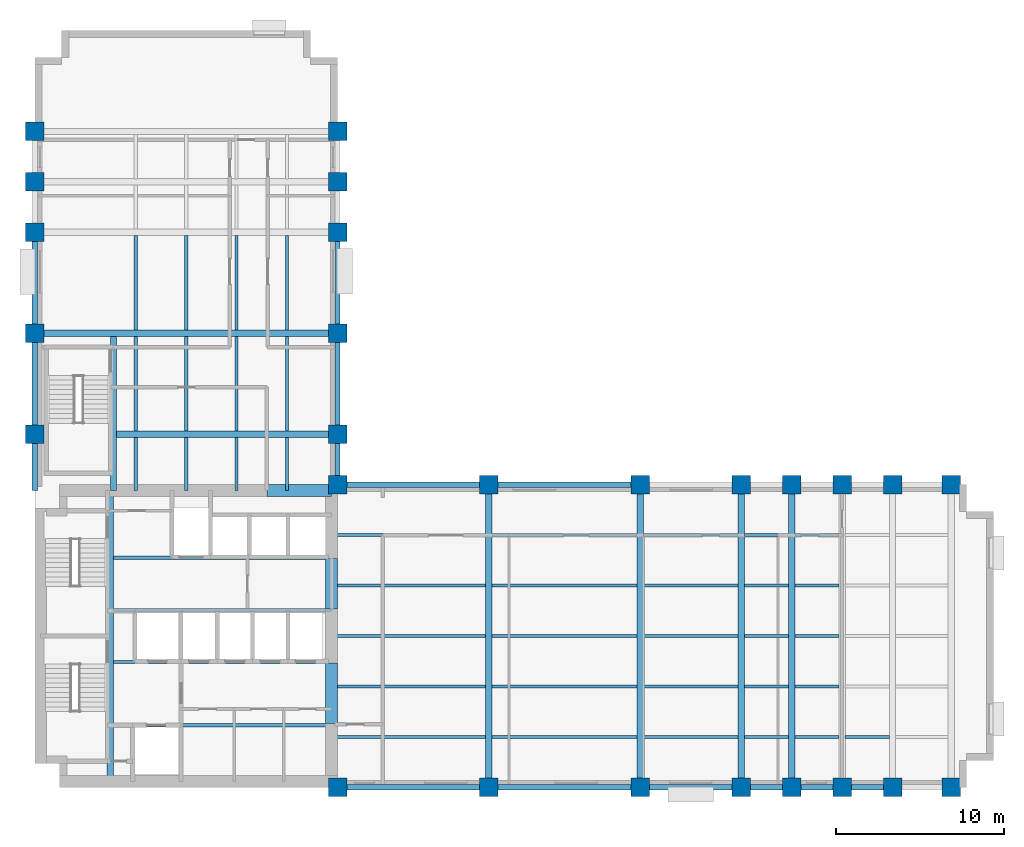
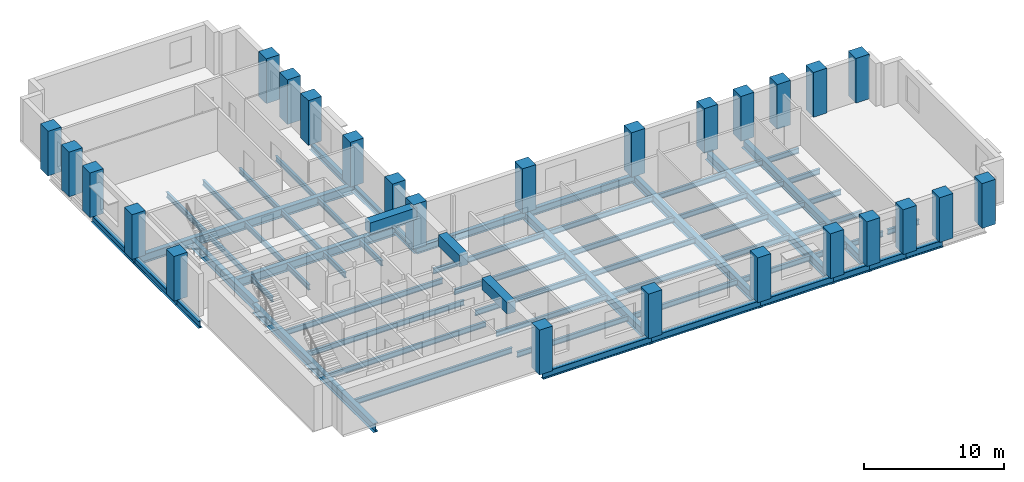
# One storey, part 1 of 8: 67 beams, 26 columns.
"""IFC4 building model written with IfcOpenShell, lengths in metres."""

from ifc_helpers import new_model, si_unit, direction, frame, origin, origin_2d, place, context, subcontext, project, spatial, rectangle, i_section, extrude, material, material_profile, profile_set, type_object, element, save


model = new_model("IFC4")

# Units and contexts
model_context = context("Model", 3, precision=1e-05, world=origin(), true_north=direction((0.0, 1.0)))
body_context = subcontext(model_context, "Body", "Model", "MODEL_VIEW")
ifc_project = project(units=[si_unit("LENGTHUNIT", "METRE"), si_unit("AREAUNIT", "SQUARE_METRE"), si_unit("VOLUMEUNIT", "CUBIC_METRE"), si_unit("PLANEANGLEUNIT", "RADIAN"), si_unit("MASSUNIT", "GRAM", prefix="KILO")], contexts=[model_context])

# Site, building, storey
site_placement = place(None, origin())
site = spatial("IfcSite", under=ifc_project, at=site_placement, CompositionType="ELEMENT")
building_placement = place(site_placement, origin())
building = spatial("IfcBuilding", under=site, at=building_placement, Name="Mawjdan Bourse Tower", CompositionType="ELEMENT")
storey_placement = place(building_placement, frame((0.0, 0.0, 97.199951171875)))
storey = spatial("IfcBuildingStorey", under=building, at=storey_placement, Name="L22", CompositionType="ELEMENT", Elevation=97.199951171875)

# Columns
ifc_material_1 = material(Name="Concrete C70/85", Category="concrete")
ifc_material_profile_1 = material_profile(ifc_material_1, rectangle(XDim=1.10009765625, YDim=1.10009765625, at=origin_2d()), Name="RC1100X1100")
ifc_profile_set_1 = profile_set([ifc_material_profile_1], Name="Concrete C70/85")
column_type = type_object("IfcColumnType", Name="COL-RC1100X1100", PredefinedType="COLUMN", material=ifc_profile_set_1)
for number, where, z_axis, x_axis, name in (
    (1, (24.0, 3.0, 0.0), (0.0, 0.0, 1.0), (1.0, 0.0, 0.0), "L22 Structural Column C-X240-Y30"),
    (2, (24.0, 21.0, 0.0), (0.0, 0.0, 1.0), (1.0, 0.0, 0.0), "L22 Structural Column C-X240-Y210"),
    (3, (33.0, 3.0, 0.0), (0.0, 0.0, 1.0), (1.0, 0.0, 0.0), "L22 Structural Column C-X330-Y30"),
    (4, (33.0, 21.0, 0.0), (0.0, 0.0, 1.0), (1.0, 0.0, 0.0), "L22 Structural Column C-X330-Y210"),
    (5, (42.0, 3.0, 0.0), (0.0, 0.0, 1.0), (1.0, 0.0, 0.0), "L22 Structural Column C-X420-Y30"),
    (6, (42.0, 21.0, 0.0), (0.0, 0.0, 1.0), (1.0, 0.0, 0.0), "L22 Structural Column C-X420-Y210"),
    (7, (48.0, 3.0, 0.0), (0.0, 0.0, 1.0), (1.0, 0.0, 0.0), "L22 Structural Column C-X480-Y30"),
    (8, (48.0, 21.0, 0.0), (0.0, 0.0, 1.0), (1.0, 0.0, 0.0), "L22 Structural Column C-X480-Y210"),
    (9, (51.0, 3.0, 0.0), (0.0, 0.0, 1.0), (1.0, 0.0, 0.0), "L22 Structural Column C-X510-Y30"),
    (10, (51.0, 21.0, 0.0), (0.0, 0.0, 1.0), (1.0, 0.0, 0.0), "L22 Structural Column C-X510-Y210"),
    (11, (54.0, 3.0, 0.0), (0.0, 0.0, 1.0), (1.0, 0.0, 0.0), "L22 Structural Column C-X540-Y30"),
    (12, (54.0, 21.0, 0.0), (0.0, 0.0, 1.0), (1.0, 0.0, 0.0), "L22 Structural Column C-X540-Y210"),
    (13, (57.0, 3.0, 0.0), (0.0, 0.0, 1.0), (1.0, 0.0, 0.0), "L22 Structural Column C-X570-Y30"),
    (14, (57.0, 21.0, 0.0), (0.0, 0.0, 1.0), (1.0, 0.0, 0.0), "L22 Structural Column C-X570-Y210"),
    (15, (60.5, 3.0, 0.0), (0.0, 0.0, 1.0), (1.0, 0.0, 0.0), "L22 Structural Column C-X605-Y30"),
    (16, (60.5, 21.0, 0.0), (0.0, 0.0, 1.0), (1.0, 0.0, 0.0), "L22 Structural Column C-X605-Y210"),
    (17, (6.0, 24.0, 0.0), (0.0, 0.0, 1.0), (1.0, 0.0, 0.0), "L22 Structural Column C-X60-Y240"),
    (18, (24.0, 24.0, 0.0), (0.0, 0.0, 1.0), (1.0, 0.0, 0.0), "L22 Structural Column C-X240-Y240"),
    (19, (6.0, 30.0, 0.0), (0.0, 0.0, 1.0), (1.0, 0.0, 0.0), "L22 Structural Column C-X60-Y300"),
    (20, (24.0, 30.0, 0.0), (0.0, 0.0, 1.0), (1.0, 0.0, 0.0), "L22 Structural Column C-X240-Y300"),
    (21, (6.0, 36.0, 0.0), (0.0, 0.0, 1.0), (1.0, 0.0, 0.0), "L22 Structural Column C-X60-Y360"),
    (22, (24.0, 36.0, 0.0), (0.0, 0.0, 1.0), (1.0, 0.0, 0.0), "L22 Structural Column C-X240-Y360"),
    (23, (6.0, 39.0, 0.0), (0.0, 0.0, 1.0), (1.0, 0.0, 0.0), "L22 Structural Column C-X60-Y390"),
    (24, (24.0, 39.0, 0.0), (0.0, 0.0, 1.0), (1.0, 0.0, 0.0), "L22 Structural Column C-X240-Y390"),
    (25, (6.0, 42.0, 0.0), (0.0, 0.0, 1.0), (1.0, 0.0, 0.0), "L22 Structural Column C-X60-Y420"),
    (26, (24.0, 42.0, 0.0), (0.0, 0.0, 1.0), (1.0, 0.0, 0.0), "L22 Structural Column C-X240-Y420"),
):
    element("IfcColumn", number, at=place(storey_placement, frame(where, z_axis=z_axis, x_axis=x_axis)), inside=storey, type_object=column_type, Name=name, PredefinedType="COLUMN", context=body_context, shape_type="SweptSolid", body=[
        extrude(rectangle(XDim=1.10009765625, YDim=1.10009765625, at=origin_2d()), origin(), (0.0, 0.0, 1.0), 3.900146484375),
    ])

# Beams
ifc_material_2 = material(Name="Structural Steel S355", Category="steel")
ifc_material_profile_2 = material_profile(ifc_material_2, i_section(OverallWidth=0.381103515625, OverallDepth=0.77294921875, WebThickness=0.0166015625, FlangeThickness=0.027099609375, FilletRadius=0.021728515625, at=origin_2d()), Name="W30X173")
ifc_profile_set_2 = profile_set([ifc_material_profile_2], Name="Structural Steel S355")
beam_type_1 = type_object("IfcBeamType", Name="GRD-W30X173", PredefinedType="BEAM", material=ifc_profile_set_2)
beam_1_placement = place(storey_placement, frame((10.47998046875, 3.35009765625, -0.58642578125), z_axis=(0.0, 1.0, 0.0), x_axis=(-1.0, 0.0, 0.0)))
element("IfcBeam", 27, at=beam_1_placement, inside=storey, type_object=beam_type_1, Name="L22 Core Stair Trimmer Girder 001", PredefinedType="BEAM", context=body_context, shape_type="SweptSolid", body=[
    extrude(i_section(OverallWidth=0.381103515625, OverallDepth=0.77294921875, WebThickness=0.0166015625, FlangeThickness=0.027099609375, FilletRadius=0.021728515625, at=origin_2d()), origin(), (0.0, 0.0, 1.0), 17.2998046875),
])
for number, where, z_axis, x_axis, name in (
    (28, (33.0, 3.0, -0.58642578125), (0.0, 1.0, 0.0), (-1.0, 0.0, 0.0), "L22 East Wing Clear-Span Girder 002"),
    (29, (42.0, 3.0, -0.58642578125), (0.0, 1.0, 0.0), (-1.0, 0.0, 0.0), "L22 East Wing Clear-Span Girder 003"),
    (30, (48.0, 3.0, -0.58642578125), (0.0, 1.0, 0.0), (-1.0, 0.0, 0.0), "L22 East Wing Clear-Span Girder 004"),
    (31, (51.0, 3.0, -0.58642578125), (0.0, 1.0, 0.0), (-1.0, 0.0, 0.0), "L22 East Wing Clear-Span Girder 005"),
):
    element("IfcBeam", number, at=place(storey_placement, frame(where, z_axis=z_axis, x_axis=x_axis)), inside=storey, type_object=beam_type_1, Name=name, PredefinedType="BEAM", context=body_context, shape_type="SweptSolid", body=[
        extrude(i_section(OverallWidth=0.381103515625, OverallDepth=0.77294921875, WebThickness=0.0166015625, FlangeThickness=0.027099609375, FilletRadius=0.021728515625, at=origin_2d()), origin(), (0.0, 0.0, 1.0), 18.0),
    ])
beam_2_placement = place(storey_placement, frame((10.679931640625, 20.64990234375, -0.58642578125), z_axis=(0.0, 1.0, 0.0), x_axis=(-1.0, 0.0, 0.0)))
element("IfcBeam", 32, at=beam_2_placement, inside=storey, type_object=beam_type_1, Name="L22 North Wing Stair Trimmer Girder 062", PredefinedType="BEAM", context=body_context, shape_type="SweptSolid", body=[
    extrude(i_section(OverallWidth=0.381103515625, OverallDepth=0.77294921875, WebThickness=0.0166015625, FlangeThickness=0.027099609375, FilletRadius=0.021728515625, at=origin_2d()), origin(), (0.0, 0.0, 1.0), 9.16162109375),
])
beam_3_placement = place(storey_placement, frame((10.868408203125, 24.0, -0.58642578125), z_axis=(1.0, 0.0, 0.0), x_axis=(0.0, 1.0, 0.0)))
element("IfcBeam", 33, at=beam_3_placement, inside=storey, type_object=beam_type_1, Name="L22 North Wing Clear-Span Girder 063", PredefinedType="BEAM", context=body_context, shape_type="SweptSolid", body=[
    extrude(i_section(OverallWidth=0.381103515625, OverallDepth=0.77294921875, WebThickness=0.0166015625, FlangeThickness=0.027099609375, FilletRadius=0.021728515625, at=origin_2d()), origin(), (0.0, 0.0, 1.0), 13.131591796875),
])
beam_4_placement = place(storey_placement, frame((6.0, 30.0, -0.58642578125), z_axis=(1.0, 0.0, 0.0), x_axis=(0.0, 1.0, 0.0)))
element("IfcBeam", 34, at=beam_4_placement, inside=storey, type_object=beam_type_1, Name="L22 North Wing Clear-Span Girder 064", PredefinedType="BEAM", context=body_context, shape_type="SweptSolid", body=[
    extrude(i_section(OverallWidth=0.381103515625, OverallDepth=0.77294921875, WebThickness=0.0166015625, FlangeThickness=0.027099609375, FilletRadius=0.021728515625, at=origin_2d()), origin(), (0.0, 0.0, 1.0), 18.0),
])
ifc_material_profile_3 = material_profile(ifc_material_2, i_section(OverallWidth=0.19189453125, OverallDepth=0.462890625, WebThickness=0.010498046875, FlangeThickness=0.017578125, FilletRadius=0.01416015625, at=origin_2d()), Name="W18X60")
ifc_profile_set_3 = profile_set([ifc_material_profile_3], Name="Structural Steel S355")
beam_type_2 = type_object("IfcBeamType", Name="JST-W18X60", PredefinedType="JOIST", material=ifc_profile_set_3)
beam_5_placement = place(storey_placement, frame((23.64990234375, 6.0, -0.431396484375), z_axis=(1.0, 0.0, 0.0), x_axis=(0.0, 1.0, 0.0)))
element("IfcBeam", 35, at=beam_5_placement, inside=storey, type_object=beam_type_2, Name="L22 East Wing Composite Joist 023", PredefinedType="JOIST", context=body_context, shape_type="SweptSolid", body=[
    extrude(i_section(OverallWidth=0.19189453125, OverallDepth=0.462890625, WebThickness=0.010498046875, FlangeThickness=0.017578125, FilletRadius=0.01416015625, at=origin_2d()), origin(), (0.0, 0.0, 1.0), 9.16162109375),
])
beam_6_placement = place(storey_placement, frame((33.1884765625, 6.0, -0.431396484375), z_axis=(1.0, 0.0, 0.0), x_axis=(0.0, 1.0, 0.0)))
element("IfcBeam", 36, at=beam_6_placement, inside=storey, type_object=beam_type_2, Name="L22 East Wing Composite Joist 024", PredefinedType="JOIST", context=body_context, shape_type="SweptSolid", body=[
    extrude(i_section(OverallWidth=0.19189453125, OverallDepth=0.462890625, WebThickness=0.010498046875, FlangeThickness=0.017578125, FilletRadius=0.01416015625, at=origin_2d()), origin(), (0.0, 0.0, 1.0), 8.623046875),
])
beam_7_placement = place(storey_placement, frame((42.1884765625, 6.0, -0.431396484375), z_axis=(1.0, 0.0, 0.0), x_axis=(0.0, 1.0, 0.0)))
element("IfcBeam", 37, at=beam_7_placement, inside=storey, type_object=beam_type_2, Name="L22 East Wing Composite Joist 025", PredefinedType="JOIST", context=body_context, shape_type="SweptSolid", body=[
    extrude(i_section(OverallWidth=0.19189453125, OverallDepth=0.462890625, WebThickness=0.010498046875, FlangeThickness=0.017578125, FilletRadius=0.01416015625, at=origin_2d()), origin(), (0.0, 0.0, 1.0), 5.623046875),
])
for number, where, z_axis, x_axis, name in (
    (38, (48.1884765625, 6.0, -0.431396484375), (1.0, 0.0, 0.0), (0.0, 1.0, 0.0), "L22 East Wing Composite Joist 026"),
    (39, (51.1884765625, 6.0, -0.431396484375), (1.0, 0.0, 0.0), (0.0, 1.0, 0.0), "L22 East Wing Composite Joist 027"),
    (40, (54.1884765625, 6.0, -0.431396484375), (1.0, 0.0, 0.0), (0.0, 1.0, 0.0), "L22 East Wing Composite Joist 028"),
):
    element("IfcBeam", number, at=place(storey_placement, frame(where, z_axis=z_axis, x_axis=x_axis)), inside=storey, type_object=beam_type_2, Name=name, PredefinedType="JOIST", context=body_context, shape_type="SweptSolid", body=[
        extrude(i_section(OverallWidth=0.19189453125, OverallDepth=0.462890625, WebThickness=0.010498046875, FlangeThickness=0.017578125, FilletRadius=0.01416015625, at=origin_2d()), origin(), (0.0, 0.0, 1.0), 2.623046875),
    ])
beam_8_placement = place(storey_placement, frame((23.64990234375, 9.0, -0.431396484375), z_axis=(1.0, 0.0, 0.0), x_axis=(0.0, 1.0, 0.0)))
element("IfcBeam", 41, at=beam_8_placement, inside=storey, type_object=beam_type_2, Name="L22 East Wing Composite Joist 030", PredefinedType="JOIST", context=body_context, shape_type="SweptSolid", body=[
    extrude(i_section(OverallWidth=0.19189453125, OverallDepth=0.462890625, WebThickness=0.010498046875, FlangeThickness=0.017578125, FilletRadius=0.01416015625, at=origin_2d()), origin(), (0.0, 0.0, 1.0), 9.16162109375),
])
beam_9_placement = place(storey_placement, frame((33.1884765625, 9.0, -0.431396484375), z_axis=(1.0, 0.0, 0.0), x_axis=(0.0, 1.0, 0.0)))
element("IfcBeam", 42, at=beam_9_placement, inside=storey, type_object=beam_type_2, Name="L22 East Wing Composite Joist 031", PredefinedType="JOIST", context=body_context, shape_type="SweptSolid", body=[
    extrude(i_section(OverallWidth=0.19189453125, OverallDepth=0.462890625, WebThickness=0.010498046875, FlangeThickness=0.017578125, FilletRadius=0.01416015625, at=origin_2d()), origin(), (0.0, 0.0, 1.0), 8.623046875),
])
beam_10_placement = place(storey_placement, frame((42.1884765625, 9.0, -0.431396484375), z_axis=(1.0, 0.0, 0.0), x_axis=(0.0, 1.0, 0.0)))
element("IfcBeam", 43, at=beam_10_placement, inside=storey, type_object=beam_type_2, Name="L22 East Wing Composite Joist 032", PredefinedType="JOIST", context=body_context, shape_type="SweptSolid", body=[
    extrude(i_section(OverallWidth=0.19189453125, OverallDepth=0.462890625, WebThickness=0.010498046875, FlangeThickness=0.017578125, FilletRadius=0.01416015625, at=origin_2d()), origin(), (0.0, 0.0, 1.0), 5.623046875),
])
for number, where, z_axis, x_axis, name in (
    (44, (48.1884765625, 9.0, -0.431396484375), (1.0, 0.0, 0.0), (0.0, 1.0, 0.0), "L22 East Wing Composite Joist 033"),
    (45, (51.1884765625, 9.0, -0.431396484375), (1.0, 0.0, 0.0), (0.0, 1.0, 0.0), "L22 East Wing Composite Joist 034"),
):
    element("IfcBeam", number, at=place(storey_placement, frame(where, z_axis=z_axis, x_axis=x_axis)), inside=storey, type_object=beam_type_2, Name=name, PredefinedType="JOIST", context=body_context, shape_type="SweptSolid", body=[
        extrude(i_section(OverallWidth=0.19189453125, OverallDepth=0.462890625, WebThickness=0.010498046875, FlangeThickness=0.017578125, FilletRadius=0.01416015625, at=origin_2d()), origin(), (0.0, 0.0, 1.0), 2.623046875),
    ])
beam_11_placement = place(storey_placement, frame((23.64990234375, 12.0, -0.431396484375), z_axis=(1.0, 0.0, 0.0), x_axis=(0.0, 1.0, 0.0)))
element("IfcBeam", 46, at=beam_11_placement, inside=storey, type_object=beam_type_2, Name="L22 East Wing Composite Joist 037", PredefinedType="JOIST", context=body_context, shape_type="SweptSolid", body=[
    extrude(i_section(OverallWidth=0.19189453125, OverallDepth=0.462890625, WebThickness=0.010498046875, FlangeThickness=0.017578125, FilletRadius=0.01416015625, at=origin_2d()), origin(), (0.0, 0.0, 1.0), 9.16162109375),
])
beam_12_placement = place(storey_placement, frame((33.1884765625, 12.0, -0.431396484375), z_axis=(1.0, 0.0, 0.0), x_axis=(0.0, 1.0, 0.0)))
element("IfcBeam", 47, at=beam_12_placement, inside=storey, type_object=beam_type_2, Name="L22 East Wing Composite Joist 038", PredefinedType="JOIST", context=body_context, shape_type="SweptSolid", body=[
    extrude(i_section(OverallWidth=0.19189453125, OverallDepth=0.462890625, WebThickness=0.010498046875, FlangeThickness=0.017578125, FilletRadius=0.01416015625, at=origin_2d()), origin(), (0.0, 0.0, 1.0), 8.623046875),
])
beam_13_placement = place(storey_placement, frame((42.1884765625, 12.0, -0.431396484375), z_axis=(1.0, 0.0, 0.0), x_axis=(0.0, 1.0, 0.0)))
element("IfcBeam", 48, at=beam_13_placement, inside=storey, type_object=beam_type_2, Name="L22 East Wing Composite Joist 039", PredefinedType="JOIST", context=body_context, shape_type="SweptSolid", body=[
    extrude(i_section(OverallWidth=0.19189453125, OverallDepth=0.462890625, WebThickness=0.010498046875, FlangeThickness=0.017578125, FilletRadius=0.01416015625, at=origin_2d()), origin(), (0.0, 0.0, 1.0), 5.623046875),
])
for number, where, z_axis, x_axis, name in (
    (49, (48.1884765625, 12.0, -0.431396484375), (1.0, 0.0, 0.0), (0.0, 1.0, 0.0), "L22 East Wing Composite Joist 040"),
    (50, (51.1884765625, 12.0, -0.431396484375), (1.0, 0.0, 0.0), (0.0, 1.0, 0.0), "L22 East Wing Composite Joist 041"),
):
    element("IfcBeam", number, at=place(storey_placement, frame(where, z_axis=z_axis, x_axis=x_axis)), inside=storey, type_object=beam_type_2, Name=name, PredefinedType="JOIST", context=body_context, shape_type="SweptSolid", body=[
        extrude(i_section(OverallWidth=0.19189453125, OverallDepth=0.462890625, WebThickness=0.010498046875, FlangeThickness=0.017578125, FilletRadius=0.01416015625, at=origin_2d()), origin(), (0.0, 0.0, 1.0), 2.623046875),
    ])
beam_14_placement = place(storey_placement, frame((23.64990234375, 15.0, -0.431396484375), z_axis=(1.0, 0.0, 0.0), x_axis=(0.0, 1.0, 0.0)))
element("IfcBeam", 51, at=beam_14_placement, inside=storey, type_object=beam_type_2, Name="L22 East Wing Composite Joist 044", PredefinedType="JOIST", context=body_context, shape_type="SweptSolid", body=[
    extrude(i_section(OverallWidth=0.19189453125, OverallDepth=0.462890625, WebThickness=0.010498046875, FlangeThickness=0.017578125, FilletRadius=0.01416015625, at=origin_2d()), origin(), (0.0, 0.0, 1.0), 9.16162109375),
])
beam_15_placement = place(storey_placement, frame((33.1884765625, 15.0, -0.431396484375), z_axis=(1.0, 0.0, 0.0), x_axis=(0.0, 1.0, 0.0)))
element("IfcBeam", 52, at=beam_15_placement, inside=storey, type_object=beam_type_2, Name="L22 East Wing Composite Joist 045", PredefinedType="JOIST", context=body_context, shape_type="SweptSolid", body=[
    extrude(i_section(OverallWidth=0.19189453125, OverallDepth=0.462890625, WebThickness=0.010498046875, FlangeThickness=0.017578125, FilletRadius=0.01416015625, at=origin_2d()), origin(), (0.0, 0.0, 1.0), 8.623046875),
])
beam_16_placement = place(storey_placement, frame((42.1884765625, 15.0, -0.431396484375), z_axis=(1.0, 0.0, 0.0), x_axis=(0.0, 1.0, 0.0)))
element("IfcBeam", 53, at=beam_16_placement, inside=storey, type_object=beam_type_2, Name="L22 East Wing Composite Joist 046", PredefinedType="JOIST", context=body_context, shape_type="SweptSolid", body=[
    extrude(i_section(OverallWidth=0.19189453125, OverallDepth=0.462890625, WebThickness=0.010498046875, FlangeThickness=0.017578125, FilletRadius=0.01416015625, at=origin_2d()), origin(), (0.0, 0.0, 1.0), 5.623046875),
])
for number, where, z_axis, x_axis, name in (
    (54, (48.1884765625, 15.0, -0.431396484375), (1.0, 0.0, 0.0), (0.0, 1.0, 0.0), "L22 East Wing Composite Joist 047"),
    (55, (51.1884765625, 15.0, -0.431396484375), (1.0, 0.0, 0.0), (0.0, 1.0, 0.0), "L22 East Wing Composite Joist 048"),
):
    element("IfcBeam", number, at=place(storey_placement, frame(where, z_axis=z_axis, x_axis=x_axis)), inside=storey, type_object=beam_type_2, Name=name, PredefinedType="JOIST", context=body_context, shape_type="SweptSolid", body=[
        extrude(i_section(OverallWidth=0.19189453125, OverallDepth=0.462890625, WebThickness=0.010498046875, FlangeThickness=0.017578125, FilletRadius=0.01416015625, at=origin_2d()), origin(), (0.0, 0.0, 1.0), 2.623046875),
    ])
beam_17_placement = place(storey_placement, frame((23.64990234375, 18.0, -0.431396484375), z_axis=(1.0, 0.0, 0.0), x_axis=(0.0, 1.0, 0.0)))
element("IfcBeam", 56, at=beam_17_placement, inside=storey, type_object=beam_type_2, Name="L22 East Wing Composite Joist 051", PredefinedType="JOIST", context=body_context, shape_type="SweptSolid", body=[
    extrude(i_section(OverallWidth=0.19189453125, OverallDepth=0.462890625, WebThickness=0.010498046875, FlangeThickness=0.017578125, FilletRadius=0.01416015625, at=origin_2d()), origin(), (0.0, 0.0, 1.0), 9.16162109375),
])
beam_18_placement = place(storey_placement, frame((33.1884765625, 18.0, -0.431396484375), z_axis=(1.0, 0.0, 0.0), x_axis=(0.0, 1.0, 0.0)))
element("IfcBeam", 57, at=beam_18_placement, inside=storey, type_object=beam_type_2, Name="L22 East Wing Composite Joist 052", PredefinedType="JOIST", context=body_context, shape_type="SweptSolid", body=[
    extrude(i_section(OverallWidth=0.19189453125, OverallDepth=0.462890625, WebThickness=0.010498046875, FlangeThickness=0.017578125, FilletRadius=0.01416015625, at=origin_2d()), origin(), (0.0, 0.0, 1.0), 8.623046875),
])
beam_19_placement = place(storey_placement, frame((42.1884765625, 18.0, -0.431396484375), z_axis=(1.0, 0.0, 0.0), x_axis=(0.0, 1.0, 0.0)))
element("IfcBeam", 58, at=beam_19_placement, inside=storey, type_object=beam_type_2, Name="L22 East Wing Composite Joist 053", PredefinedType="JOIST", context=body_context, shape_type="SweptSolid", body=[
    extrude(i_section(OverallWidth=0.19189453125, OverallDepth=0.462890625, WebThickness=0.010498046875, FlangeThickness=0.017578125, FilletRadius=0.01416015625, at=origin_2d()), origin(), (0.0, 0.0, 1.0), 5.623046875),
])
for number, where, z_axis, x_axis, name in (
    (59, (48.1884765625, 18.0, -0.431396484375), (1.0, 0.0, 0.0), (0.0, 1.0, 0.0), "L22 East Wing Composite Joist 054"),
    (60, (51.1884765625, 18.0, -0.431396484375), (1.0, 0.0, 0.0), (0.0, 1.0, 0.0), "L22 East Wing Composite Joist 055"),
):
    element("IfcBeam", number, at=place(storey_placement, frame(where, z_axis=z_axis, x_axis=x_axis)), inside=storey, type_object=beam_type_2, Name=name, PredefinedType="JOIST", context=body_context, shape_type="SweptSolid", body=[
        extrude(i_section(OverallWidth=0.19189453125, OverallDepth=0.462890625, WebThickness=0.010498046875, FlangeThickness=0.017578125, FilletRadius=0.01416015625, at=origin_2d()), origin(), (0.0, 0.0, 1.0), 2.623046875),
    ])
for number, where, z_axis, x_axis, name in (
    (61, (10.66845703125, 6.699951171875, -0.431396484375), (1.0, 0.0, 0.0), (0.0, 1.0, 0.0), "L22 Core Floor Joist 058"),
    (62, (10.66845703125, 10.449951171875, -0.431396484375), (1.0, 0.0, 0.0), (0.0, 1.0, 0.0), "L22 Core Floor Joist 059"),
    (63, (10.66845703125, 13.550048828125, -0.431396484375), (1.0, 0.0, 0.0), (0.0, 1.0, 0.0), "L22 Core Floor Joist 060"),
    (64, (10.66845703125, 16.64990234375, -0.431396484375), (1.0, 0.0, 0.0), (0.0, 1.0, 0.0), "L22 Core Floor Joist 061"),
):
    element("IfcBeam", number, at=place(storey_placement, frame(where, z_axis=z_axis, x_axis=x_axis)), inside=storey, type_object=beam_type_2, Name=name, PredefinedType="JOIST", context=body_context, shape_type="SweptSolid", body=[
        extrude(i_section(OverallWidth=0.19189453125, OverallDepth=0.462890625, WebThickness=0.010498046875, FlangeThickness=0.017578125, FilletRadius=0.01416015625, at=origin_2d()), origin(), (0.0, 0.0, 1.0), 12.9814453125),
    ])
beam_20_placement = place(storey_placement, frame((12.0, 20.64990234375, -0.431396484375), z_axis=(0.0, 1.0, 0.0), x_axis=(-1.0, 0.0, 0.0)))
element("IfcBeam", 65, at=beam_20_placement, inside=storey, type_object=beam_type_2, Name="L22 North Wing Composite Joist 078", PredefinedType="JOIST", context=body_context, shape_type="SweptSolid", body=[
    extrude(i_section(OverallWidth=0.19189453125, OverallDepth=0.462890625, WebThickness=0.010498046875, FlangeThickness=0.017578125, FilletRadius=0.01416015625, at=origin_2d()), origin(), (0.0, 0.0, 1.0), 3.16162109375),
])
for number, where, z_axis, x_axis, name in (
    (66, (12.0, 24.1884765625, -0.431396484375), (0.0, 1.0, 0.0), (-1.0, 0.0, 0.0), "L22 North Wing Composite Joist 079"),
    (67, (12.0, 30.1884765625, -0.431396484375), (0.0, 1.0, 0.0), (-1.0, 0.0, 0.0), "L22 North Wing Composite Joist 080"),
):
    element("IfcBeam", number, at=place(storey_placement, frame(where, z_axis=z_axis, x_axis=x_axis)), inside=storey, type_object=beam_type_2, Name=name, PredefinedType="JOIST", context=body_context, shape_type="SweptSolid", body=[
        extrude(i_section(OverallWidth=0.19189453125, OverallDepth=0.462890625, WebThickness=0.010498046875, FlangeThickness=0.017578125, FilletRadius=0.01416015625, at=origin_2d()), origin(), (0.0, 0.0, 1.0), 5.623046875),
    ])
beam_21_placement = place(storey_placement, frame((15.0, 20.64990234375, -0.431396484375), z_axis=(0.0, 1.0, 0.0), x_axis=(-1.0, 0.0, 0.0)))
element("IfcBeam", 68, at=beam_21_placement, inside=storey, type_object=beam_type_2, Name="L22 North Wing Composite Joist 083", PredefinedType="JOIST", context=body_context, shape_type="SweptSolid", body=[
    extrude(i_section(OverallWidth=0.19189453125, OverallDepth=0.462890625, WebThickness=0.010498046875, FlangeThickness=0.017578125, FilletRadius=0.01416015625, at=origin_2d()), origin(), (0.0, 0.0, 1.0), 3.16162109375),
])
for number, where, z_axis, x_axis, name in (
    (69, (15.0, 24.1884765625, -0.431396484375), (0.0, 1.0, 0.0), (-1.0, 0.0, 0.0), "L22 North Wing Composite Joist 084"),
    (70, (15.0, 30.1884765625, -0.431396484375), (0.0, 1.0, 0.0), (-1.0, 0.0, 0.0), "L22 North Wing Composite Joist 085"),
):
    element("IfcBeam", number, at=place(storey_placement, frame(where, z_axis=z_axis, x_axis=x_axis)), inside=storey, type_object=beam_type_2, Name=name, PredefinedType="JOIST", context=body_context, shape_type="SweptSolid", body=[
        extrude(i_section(OverallWidth=0.19189453125, OverallDepth=0.462890625, WebThickness=0.010498046875, FlangeThickness=0.017578125, FilletRadius=0.01416015625, at=origin_2d()), origin(), (0.0, 0.0, 1.0), 5.623046875),
    ])
beam_22_placement = place(storey_placement, frame((18.0, 20.64990234375, -0.431396484375), z_axis=(0.0, 1.0, 0.0), x_axis=(-1.0, 0.0, 0.0)))
element("IfcBeam", 71, at=beam_22_placement, inside=storey, type_object=beam_type_2, Name="L22 North Wing Composite Joist 088", PredefinedType="JOIST", context=body_context, shape_type="SweptSolid", body=[
    extrude(i_section(OverallWidth=0.19189453125, OverallDepth=0.462890625, WebThickness=0.010498046875, FlangeThickness=0.017578125, FilletRadius=0.01416015625, at=origin_2d()), origin(), (0.0, 0.0, 1.0), 3.16162109375),
])
for number, where, z_axis, x_axis, name in (
    (72, (18.0, 24.1884765625, -0.431396484375), (0.0, 1.0, 0.0), (-1.0, 0.0, 0.0), "L22 North Wing Composite Joist 089"),
    (73, (18.0, 30.1884765625, -0.431396484375), (0.0, 1.0, 0.0), (-1.0, 0.0, 0.0), "L22 North Wing Composite Joist 090"),
):
    element("IfcBeam", number, at=place(storey_placement, frame(where, z_axis=z_axis, x_axis=x_axis)), inside=storey, type_object=beam_type_2, Name=name, PredefinedType="JOIST", context=body_context, shape_type="SweptSolid", body=[
        extrude(i_section(OverallWidth=0.19189453125, OverallDepth=0.462890625, WebThickness=0.010498046875, FlangeThickness=0.017578125, FilletRadius=0.01416015625, at=origin_2d()), origin(), (0.0, 0.0, 1.0), 5.623046875),
    ])
beam_23_placement = place(storey_placement, frame((21.0, 20.64990234375, -0.431396484375), z_axis=(0.0, 1.0, 0.0), x_axis=(-1.0, 0.0, 0.0)))
element("IfcBeam", 74, at=beam_23_placement, inside=storey, type_object=beam_type_2, Name="L22 North Wing Composite Joist 093", PredefinedType="JOIST", context=body_context, shape_type="SweptSolid", body=[
    extrude(i_section(OverallWidth=0.19189453125, OverallDepth=0.462890625, WebThickness=0.010498046875, FlangeThickness=0.017578125, FilletRadius=0.01416015625, at=origin_2d()), origin(), (0.0, 0.0, 1.0), 3.16162109375),
])
for number, where, z_axis, x_axis, name in (
    (75, (21.0, 24.1884765625, -0.431396484375), (0.0, 1.0, 0.0), (-1.0, 0.0, 0.0), "L22 North Wing Composite Joist 094"),
    (76, (21.0, 30.1884765625, -0.431396484375), (0.0, 1.0, 0.0), (-1.0, 0.0, 0.0), "L22 North Wing Composite Joist 095"),
):
    element("IfcBeam", number, at=place(storey_placement, frame(where, z_axis=z_axis, x_axis=x_axis)), inside=storey, type_object=beam_type_2, Name=name, PredefinedType="JOIST", context=body_context, shape_type="SweptSolid", body=[
        extrude(i_section(OverallWidth=0.19189453125, OverallDepth=0.462890625, WebThickness=0.010498046875, FlangeThickness=0.017578125, FilletRadius=0.01416015625, at=origin_2d()), origin(), (0.0, 0.0, 1.0), 5.623046875),
    ])
ifc_material_profile_4 = material_profile(ifc_material_1, rectangle(XDim=0.699951171875, YDim=1.0, at=origin_2d()), Name="RCB700X1000")
ifc_profile_set_4 = profile_set([ifc_material_profile_4], Name="Concrete C70/85")
beam_type_3 = type_object("IfcBeamType", Name="LNT-RCB700X1000", PredefinedType="LINTEL", material=ifc_profile_set_4)
beam_24_placement = place(storey_placement, frame((23.64990234375, 6.800048828125, 3.199951171875), z_axis=(0.0, 1.0, 0.0), x_axis=(-1.0, 0.0, 0.0)))
element("IfcBeam", 77, at=beam_24_placement, inside=storey, type_object=beam_type_3, Name="L22 Coupled Core Lintel CB-E1", PredefinedType="LINTEL", context=body_context, shape_type="SweptSolid", body=[
    extrude(rectangle(XDim=0.699951171875, YDim=1.0, at=origin_2d()), origin(), (0.0, 0.0, 1.0), 3.599853515625),
])
beam_25_placement = place(storey_placement, frame((23.64990234375, 13.60009765625, 3.199951171875), z_axis=(0.0, 1.0, 0.0), x_axis=(-1.0, 0.0, 0.0)))
element("IfcBeam", 78, at=beam_25_placement, inside=storey, type_object=beam_type_3, Name="L22 Coupled Core Lintel CB-E2", PredefinedType="LINTEL", context=body_context, shape_type="SweptSolid", body=[
    extrude(rectangle(XDim=0.699951171875, YDim=1.0, at=origin_2d()), origin(), (0.0, 0.0, 1.0), 3.0),
])
beam_26_placement = place(storey_placement, frame((19.800048828125, 20.64990234375, 3.199951171875), z_axis=(1.0, 0.0, 0.0), x_axis=(0.0, 1.0, 0.0)))
element("IfcBeam", 79, at=beam_26_placement, inside=storey, type_object=beam_type_3, Name="L22 Coupled Core Lintel CB-N1", PredefinedType="LINTEL", context=body_context, shape_type="SweptSolid", body=[
    extrude(rectangle(XDim=0.699951171875, YDim=1.0, at=origin_2d()), origin(), (0.0, 0.0, 1.0), 3.849853515625),
])
ifc_material_profile_5 = material_profile(ifc_material_2, i_section(OverallWidth=0.324951171875, OverallDepth=0.616943359375, WebThickness=0.013916015625, FlangeThickness=0.021484375, FilletRadius=0.017333984375, at=origin_2d()), Name="W24X117")
ifc_profile_set_5 = profile_set([ifc_material_profile_5], Name="Structural Steel S355")
beam_type_4 = type_object("IfcBeamType", Name="SPN-W24X117", PredefinedType="SPANDREL", material=ifc_profile_set_5)
for number, where, z_axis, x_axis, name in (
    (80, (24.0, 3.0, -0.508544921875), (1.0, 0.0, 0.0), (0.0, 1.0, 0.0), "L22 Perimeter Masonry-Shelf Spandrel 009"),
    (81, (33.0, 3.0, -0.508544921875), (1.0, 0.0, 0.0), (0.0, 1.0, 0.0), "L22 Perimeter Masonry-Shelf Spandrel 010"),
):
    element("IfcBeam", number, at=place(storey_placement, frame(where, z_axis=z_axis, x_axis=x_axis)), inside=storey, type_object=beam_type_4, Name=name, PredefinedType="SPANDREL", context=body_context, shape_type="SweptSolid", body=[
        extrude(i_section(OverallWidth=0.324951171875, OverallDepth=0.616943359375, WebThickness=0.013916015625, FlangeThickness=0.021484375, FilletRadius=0.017333984375, at=origin_2d()), origin(), (0.0, 0.0, 1.0), 9.0),
    ])
beam_27_placement = place(storey_placement, frame((42.0, 3.0, -0.508544921875), z_axis=(1.0, 0.0, 0.0), x_axis=(0.0, 1.0, 0.0)))
element("IfcBeam", 82, at=beam_27_placement, inside=storey, type_object=beam_type_4, Name="L22 Perimeter Masonry-Shelf Spandrel 011", PredefinedType="SPANDREL", context=body_context, shape_type="SweptSolid", body=[
    extrude(i_section(OverallWidth=0.324951171875, OverallDepth=0.616943359375, WebThickness=0.013916015625, FlangeThickness=0.021484375, FilletRadius=0.017333984375, at=origin_2d()), origin(), (0.0, 0.0, 1.0), 6.0),
])
for number, where, z_axis, x_axis, name in (
    (83, (48.0, 3.0, -0.508544921875), (1.0, 0.0, 0.0), (0.0, 1.0, 0.0), "L22 Perimeter Masonry-Shelf Spandrel 012"),
    (84, (51.0, 3.0, -0.508544921875), (1.0, 0.0, 0.0), (0.0, 1.0, 0.0), "L22 Perimeter Masonry-Shelf Spandrel 013"),
    (85, (54.0, 3.0, -0.508544921875), (1.0, 0.0, 0.0), (0.0, 1.0, 0.0), "L22 Perimeter Masonry-Shelf Spandrel 014"),
):
    element("IfcBeam", number, at=place(storey_placement, frame(where, z_axis=z_axis, x_axis=x_axis)), inside=storey, type_object=beam_type_4, Name=name, PredefinedType="SPANDREL", context=body_context, shape_type="SweptSolid", body=[
        extrude(i_section(OverallWidth=0.324951171875, OverallDepth=0.616943359375, WebThickness=0.013916015625, FlangeThickness=0.021484375, FilletRadius=0.017333984375, at=origin_2d()), origin(), (0.0, 0.0, 1.0), 3.0),
    ])
for number, where, z_axis, x_axis, name in (
    (86, (24.0, 21.0, -0.508544921875), (1.0, 0.0, 0.0), (0.0, 1.0, 0.0), "L22 Perimeter Masonry-Shelf Spandrel 016"),
    (87, (33.0, 21.0, -0.508544921875), (1.0, 0.0, 0.0), (0.0, 1.0, 0.0), "L22 Perimeter Masonry-Shelf Spandrel 017"),
):
    element("IfcBeam", number, at=place(storey_placement, frame(where, z_axis=z_axis, x_axis=x_axis)), inside=storey, type_object=beam_type_4, Name=name, PredefinedType="SPANDREL", context=body_context, shape_type="SweptSolid", body=[
        extrude(i_section(OverallWidth=0.324951171875, OverallDepth=0.616943359375, WebThickness=0.013916015625, FlangeThickness=0.021484375, FilletRadius=0.017333984375, at=origin_2d()), origin(), (0.0, 0.0, 1.0), 9.0),
    ])
beam_28_placement = place(storey_placement, frame((6.0, 20.64990234375, -0.508544921875), z_axis=(0.0, 1.0, 0.0), x_axis=(-1.0, 0.0, 0.0)))
element("IfcBeam", 88, at=beam_28_placement, inside=storey, type_object=beam_type_4, Name="L22 North Wing Spandrel 068", PredefinedType="SPANDREL", context=body_context, shape_type="SweptSolid", body=[
    extrude(i_section(OverallWidth=0.324951171875, OverallDepth=0.616943359375, WebThickness=0.013916015625, FlangeThickness=0.021484375, FilletRadius=0.017333984375, at=origin_2d()), origin(), (0.0, 0.0, 1.0), 3.35009765625),
])
for number, where, z_axis, x_axis, name in (
    (89, (6.0, 24.0, -0.508544921875), (0.0, 1.0, 0.0), (-1.0, 0.0, 0.0), "L22 North Wing Spandrel 069"),
    (90, (6.0, 30.0, -0.508544921875), (0.0, 1.0, 0.0), (-1.0, 0.0, 0.0), "L22 North Wing Spandrel 070"),
):
    element("IfcBeam", number, at=place(storey_placement, frame(where, z_axis=z_axis, x_axis=x_axis)), inside=storey, type_object=beam_type_4, Name=name, PredefinedType="SPANDREL", context=body_context, shape_type="SweptSolid", body=[
        extrude(i_section(OverallWidth=0.324951171875, OverallDepth=0.616943359375, WebThickness=0.013916015625, FlangeThickness=0.021484375, FilletRadius=0.017333984375, at=origin_2d()), origin(), (0.0, 0.0, 1.0), 6.0),
    ])
beam_29_placement = place(storey_placement, frame((24.0, 21.0, -0.508544921875), z_axis=(0.0, 1.0, 0.0), x_axis=(-1.0, 0.0, 0.0)))
element("IfcBeam", 91, at=beam_29_placement, inside=storey, type_object=beam_type_4, Name="L22 North Wing Spandrel 073", PredefinedType="SPANDREL", context=body_context, shape_type="SweptSolid", body=[
    extrude(i_section(OverallWidth=0.324951171875, OverallDepth=0.616943359375, WebThickness=0.013916015625, FlangeThickness=0.021484375, FilletRadius=0.017333984375, at=origin_2d()), origin(), (0.0, 0.0, 1.0), 3.0),
])
for number, where, z_axis, x_axis, name in (
    (92, (24.0, 24.0, -0.508544921875), (0.0, 1.0, 0.0), (-1.0, 0.0, 0.0), "L22 North Wing Spandrel 074"),
    (93, (24.0, 30.0, -0.508544921875), (0.0, 1.0, 0.0), (-1.0, 0.0, 0.0), "L22 North Wing Spandrel 075"),
):
    element("IfcBeam", number, at=place(storey_placement, frame(where, z_axis=z_axis, x_axis=x_axis)), inside=storey, type_object=beam_type_4, Name=name, PredefinedType="SPANDREL", context=body_context, shape_type="SweptSolid", body=[
        extrude(i_section(OverallWidth=0.324951171875, OverallDepth=0.616943359375, WebThickness=0.013916015625, FlangeThickness=0.021484375, FilletRadius=0.017333984375, at=origin_2d()), origin(), (0.0, 0.0, 1.0), 6.0),
    ])

save(model, "model.ifc")
